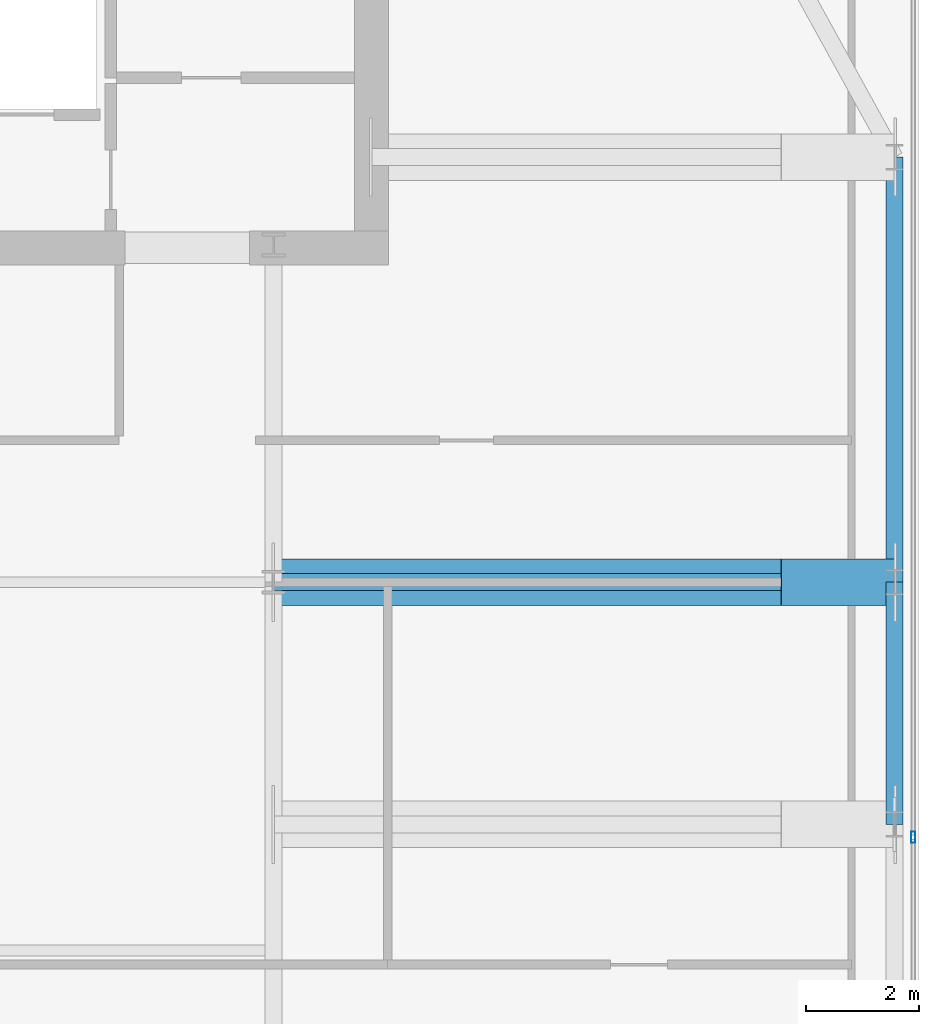
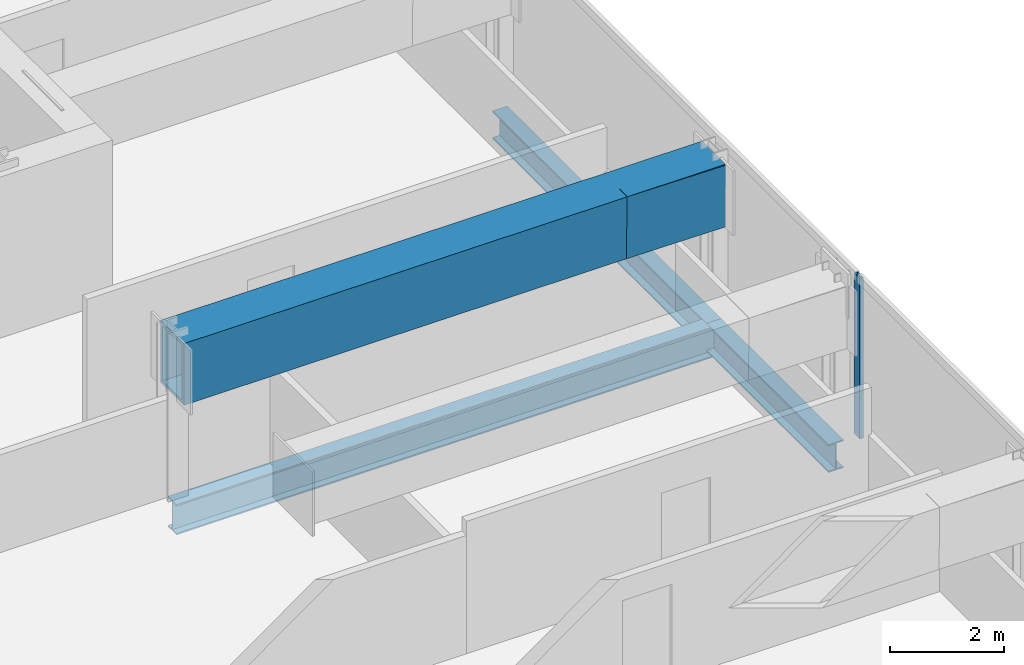
# One storey, part 15 of 26: 5 beams, 1 member, 1 element without a shape of its own.
"""IFC4 building model written with IfcOpenShell, lengths in metres."""

import ifcopenshell
import ifcopenshell.guid

model = None  # the IFC model being written
_history = None  # IfcOwnerHistory: only IFC2X3 demands one
_inside = {}  # id of a spatial element -> (the spatial element, [elements in it])
_under = {}  # id of a project, library or spatial element -> (it, [spatial elements below it])
_declared = {}  # id of a project -> (the project, [libraries it declares])
_typed = {}  # id of a type object -> (the type object, [elements of that type])
_made_of = {}  # id of a material, layer set ... -> (it, [elements and type objects made of it])


def new_model(schema):
    """Start an empty IFC model of exactly this schema.

    Asked for "IFC4X3", IfcOpenShell would pick the latest addendum, in which some entities
    have other attributes; the version numbers below select the first issue.
    IFC2X3 requires an IfcOwnerHistory on every rooted entity: one is made here for all.
    """
    global model, _history
    if schema == "IFC4X3":
        model = ifcopenshell.file(schema_version=(4, 3, 0, 0))
    else:
        model = ifcopenshell.file(schema=schema)
    _inside.clear()
    _under.clear()
    _declared.clear()
    _typed.clear()
    _made_of.clear()
    _history = None
    if model.schema == "IFC2X3":
        org = make("IfcOrganization", Name="unknown")
        user = make(
            "IfcPersonAndOrganization",
            ThePerson=make("IfcPerson", FamilyName="unknown"),
            TheOrganization=org,
        )
        app = make(
            "IfcApplication",
            ApplicationDeveloper=org,
            Version="unknown",
            ApplicationFullName="unknown",
            ApplicationIdentifier="unknown",
        )
        _history = make(
            "IfcOwnerHistory",
            OwningUser=user,
            OwningApplication=app,
            ChangeAction="ADDED",
            CreationDate=0,
        )
    return model


def make(cls, **values):
    """One entity of the class cls with the attributes given. An attribute that is None is left unset."""
    return model.create_entity(
        cls, **{name: value for name, value in values.items() if value is not None}
    )


def rooted(cls, **values):
    """An entity with a GlobalId (a new one), such as an element, a storey or a relation."""
    return make(cls, GlobalId=ifcopenshell.guid.new(), OwnerHistory=_history, **values)


def si_unit(unit_type, name, prefix=None):
    """IfcSIUnit, for example si_unit("LENGTHUNIT", "METRE", prefix="MILLI")."""
    return make("IfcSIUnit", UnitType=unit_type, Prefix=prefix, Name=name)


def assignment(units):
    """IfcUnitAssignment: the units of a project."""
    return None if units is None else make("IfcUnitAssignment", Units=units)


def point(xyz):
    """IfcCartesianPoint."""
    return None if xyz is None else make("IfcCartesianPoint", Coordinates=xyz)


def direction(xyz):
    """IfcDirection."""
    return None if xyz is None else make("IfcDirection", DirectionRatios=xyz)


def frame(location, z_axis=None, x_axis=None):
    """IfcAxis2Placement3D, a coordinate frame: its origin and axes. An axis left out is left unset."""
    return make(
        "IfcAxis2Placement3D",
        Location=point(location),
        Axis=direction(z_axis),
        RefDirection=direction(x_axis),
    )


def frame_2d(location, x_axis=None):
    """IfcAxis2Placement2D, a coordinate frame in the plane: its origin and x axis."""
    return make(
        "IfcAxis2Placement2D", Location=point(location), RefDirection=direction(x_axis)
    )


def origin():
    """The frame at (0, 0, 0) with its axes left unset."""
    return frame((0.0, 0.0, 0.0))


def origin_2d():
    """The frame at (0, 0) in the plane with its x axis left unset."""
    return frame_2d((0.0, 0.0))


def place(relative_to, where):
    """IfcLocalPlacement: puts the frame where relative to a parent placement (None: the world)."""
    return make(
        "IfcLocalPlacement", PlacementRelTo=relative_to, RelativePlacement=where
    )


def context(
    kind, dimensions, precision=None, world=None, true_north=None, identifier=None
):
    """IfcGeometricRepresentationContext, for example the 3D "Model" context."""
    return make(
        "IfcGeometricRepresentationContext",
        ContextIdentifier=identifier,
        ContextType=kind,
        CoordinateSpaceDimension=dimensions,
        Precision=precision,
        WorldCoordinateSystem=world,
        TrueNorth=true_north,
    )


def subcontext(parent, identifier, kind, view, scale=None):
    """IfcGeometricRepresentationSubContext, for example "Body" below "Model"."""
    return make(
        "IfcGeometricRepresentationSubContext",
        ContextIdentifier=identifier,
        ContextType=kind,
        ParentContext=parent,
        TargetScale=scale,
        TargetView=view,
    )


def project(units=None, contexts=None):
    """IfcProject with its units and contexts."""
    return rooted(
        "IfcProject",
        Name="project",
        RepresentationContexts=contexts,
        UnitsInContext=assignment(units),
    )


def spatial(cls, under=None, at=None, **own):
    """A site, building, storey or space (cls), placed at a placement, below another one or the project."""
    s = rooted(cls, ObjectPlacement=at, **own)
    if under is not None:
        _under.setdefault(under.id(), (under, []))[1].append(s)
    return s


def profile(cls, at=None, kind="AREA", **sizes):
    """A parametric profile (cls). Its sizes go by their IFC names, for example OverallWidth=200.0."""
    return make(cls, ProfileType=kind, Position=at, **sizes)


def hollow_rectangle(**sizes):
    """IfcRectangleHollowProfileDef."""
    return profile("IfcRectangleHollowProfileDef", **sizes)


def i_section(**sizes):
    """IfcIShapeProfileDef."""
    return profile("IfcIShapeProfileDef", **sizes)


def extrude(swept, where, along, depth):
    """IfcExtrudedAreaSolid: the profile swept, set in the frame where, extruded along a direction by depth."""
    return make(
        "IfcExtrudedAreaSolid",
        SweptArea=swept,
        Position=where,
        ExtrudedDirection=direction(along),
        Depth=depth,
    )


def shape(context_of_items, identifier, shape_type, items):
    """IfcShapeRepresentation: the items that make up one representation, for example the "Body"."""
    return make(
        "IfcShapeRepresentation",
        ContextOfItems=context_of_items,
        RepresentationIdentifier=identifier,
        RepresentationType=shape_type,
        Items=items,
    )


def material(Name=None, Category=None):
    """IfcMaterial."""
    return make("IfcMaterial", Name=Name, Category=Category)


def material_profile(
    of_material, cross_section, Name=None, Category=None, Priority=None
):
    """IfcMaterialProfile: a cross section and its material."""
    return make(
        "IfcMaterialProfile",
        Name=Name,
        Material=of_material,
        Profile=cross_section,
        Priority=Priority,
        Category=Category,
    )


def profile_set(profiles, Name=None, composite=None):
    """IfcMaterialProfileSet."""
    return make(
        "IfcMaterialProfileSet",
        Name=Name,
        MaterialProfiles=profiles,
        CompositeProfile=composite,
    )


def made_of(thing, what):
    """Note that an element or type object is made of a material, layer set ...; save() writes the relation."""
    if what is not None:
        _made_of.setdefault(what.id(), (what, []))[1].append(thing)
    return thing


def type_object(cls, material=None, **own):
    """A type object (cls), such as IfcWallType, which elements share."""
    return made_of(rooted(cls, **own), material)


def element(
    cls,
    number,
    at=None,
    inside=None,
    cuts=None,
    type_object=None,
    material=None,
    context=None,
    identifier="Body",
    shape_type=None,
    held_by="IfcProductDefinitionShape",
    body=None,
    shapes=None,
    **own,
):
    """One element of the class cls, such as IfcWall. Its Tag is "e" and its number.

    at: its placement. inside: the storey or other place that contains it. cuts: it is an
    opening in that element (IfcRelVoidsElement). A single representation is given by context,
    identifier, shape_type and body (its items); several are given by shapes. held_by: the class
    of the entity that holds the representations. save() writes the other relations.
    """
    e = rooted(cls, Tag="e%d" % number, ObjectPlacement=at, **own)
    if body is not None:
        shapes = [shape(context, identifier, shape_type, body)]
    if shapes is not None:
        e.Representation = make(held_by, Representations=shapes)
    if inside is not None:
        _inside.setdefault(inside.id(), (inside, []))[1].append(e)
    if cuts is not None:
        rooted(
            "IfcRelVoidsElement", RelatingBuildingElement=cuts, RelatedOpeningElement=e
        )
    if type_object is not None:
        _typed.setdefault(type_object.id(), (type_object, []))[1].append(e)
    return made_of(e, material)


def aggregate(whole, parts):
    """IfcRelAggregates: a whole, such as a stair, and the parts it consists of."""
    return rooted("IfcRelAggregates", RelatingObject=whole, RelatedObjects=parts)


def save(model, path):
    """Write the relations noted so far, then the file.

    IfcRelAggregates (storeys below a building ...), IfcRelContainedInSpatialStructure (elements
    in a storey), IfcRelDefinesByType, IfcRelAssociatesMaterial and IfcRelDeclares: one each for
    every whole, place, type object, material and project.
    """
    for whole, parts in _under.values():
        aggregate(whole, parts)
    for where, things in _inside.values():
        rooted(
            "IfcRelContainedInSpatialStructure",
            RelatedElements=things,
            RelatingStructure=where,
        )
    for kind, things in _typed.values():
        rooted("IfcRelDefinesByType", RelatedObjects=things, RelatingType=kind)
    for what, things in _made_of.values():
        rooted("IfcRelAssociatesMaterial", RelatedObjects=things, RelatingMaterial=what)
    for by, libraries in _declared.values():
        rooted("IfcRelDeclares", RelatingContext=by, RelatedDefinitions=libraries)
    model.write(path)


model = new_model("IFC4")

# Units and contexts
model_context = context("Model", 3, precision=1e-05, world=origin(), true_north=direction((0.0, 1.0)))
body_context = subcontext(model_context, "Body", "Model", "MODEL_VIEW")
ifc_project = project(units=[si_unit("LENGTHUNIT", "METRE"), si_unit("AREAUNIT", "SQUARE_METRE"), si_unit("VOLUMEUNIT", "CUBIC_METRE"), si_unit("PLANEANGLEUNIT", "RADIAN"), si_unit("MASSUNIT", "GRAM", prefix="KILO")], contexts=[model_context])

# Site, building, storey
site_placement = place(None, origin())
site = spatial("IfcSite", under=ifc_project, at=site_placement, CompositionType="ELEMENT")
building_placement = place(site_placement, origin())
building = spatial("IfcBuilding", under=site, at=building_placement, Name="Khoronbel Lancet Exchange", CompositionType="ELEMENT")
storey_placement = place(building_placement, frame((0.0, 0.0, 235.39990234375)))
storey = spatial("IfcBuildingStorey", under=building, at=storey_placement, Name="L60", CompositionType="ELEMENT", Elevation=235.39990234375)

# Beams
ifc_material_1 = material(Name="Steel S355", Category="steel")
ifc_material_profile_1 = material_profile(ifc_material_1, i_section(OverallWidth=0.300048828125, OverallDepth=0.64990234375, WebThickness=0.01611328125, FlangeThickness=0.031005859375, at=origin_2d()), Name="HEB 650")
ifc_profile_set_1 = profile_set([ifc_material_profile_1], Name="Steel S355")
beam_type_1 = type_object("IfcBeamType", Name="BM-BG4", PredefinedType="BEAM", material=ifc_profile_set_1)
beam_1_placement = place(storey_placement, frame((54.675048828125, 35.699951171875, -0.48486328125), z_axis=(1.0, 0.0, 0.0), x_axis=(0.0, 1.0, 0.0)))
element("IfcBeam", 1, at=beam_1_placement, inside=storey, type_object=beam_type_1, Name="Level L60 east lens tie girder LG4E", PredefinedType="BEAM", context=body_context, shape_type="SweptSolid", body=[
    extrude(i_section(OverallWidth=0.300048828125, OverallDepth=0.64990234375, WebThickness=0.01611328125, FlangeThickness=0.031005859375, at=origin_2d()), origin(), (0.0, 0.0, 1.0), 10.954833984375),
])
ifc_material_profile_2 = material_profile(ifc_material_1, i_section(OverallWidth=0.300048828125, OverallDepth=0.60009765625, WebThickness=0.015380859375, FlangeThickness=0.030029296875, at=origin_2d()), Name="HEB 600")
ifc_profile_set_2 = profile_set([ifc_material_profile_2], Name="Steel S355")
beam_type_2 = type_object("IfcBeamType", Name="BM-BSP2", PredefinedType="SPANDREL", material=ifc_profile_set_2)
beam_2_placement = place(storey_placement, frame((65.6298828125, 31.425048828125, -0.4599609375), z_axis=(0.0, 1.0, 0.0), x_axis=(-1.0, 0.0, 0.0)))
element("IfcBeam", 2, at=beam_2_placement, inside=storey, type_object=beam_type_2, Name="Level L60 perimeter spandrel beam SP13", PredefinedType="SPANDREL", context=body_context, shape_type="SweptSolid", body=[
    extrude(i_section(OverallWidth=0.300048828125, OverallDepth=0.60009765625, WebThickness=0.015380859375, FlangeThickness=0.030029296875, at=origin_2d()), origin(), (0.0, 0.0, 1.0), 4.27490234375),
])
beam_3_placement = place(storey_placement, frame((65.6298828125, 35.699951171875, -0.4599609375), z_axis=(0.0, 1.0, 0.0), x_axis=(-1.0, 0.0, 0.0)))
element("IfcBeam", 3, at=beam_3_placement, inside=storey, type_object=beam_type_2, Name="Level L60 perimeter spandrel beam SP14", PredefinedType="SPANDREL", context=body_context, shape_type="SweptSolid", body=[
    extrude(i_section(OverallWidth=0.300048828125, OverallDepth=0.60009765625, WebThickness=0.015380859375, FlangeThickness=0.030029296875, at=origin_2d()), origin(), (0.0, 0.0, 1.0), 7.5),
])
ifc_material_2 = material(Name="Steel S460", Category="steel")
ifc_material_profile_3 = material_profile(ifc_material_2, hollow_rectangle(XDim=0.820068359375, YDim=1.320068359375, WallThickness=0.070068359375, at=origin_2d()), Name="BOX 820x1320x70")
ifc_profile_set_3 = profile_set([ifc_material_profile_3], Name="Steel S460")
beam_type_3 = type_object("IfcBeamType", Name="BM-TG4", PredefinedType="USERDEFINED", material=ifc_profile_set_3)
beam_4_placement = place(storey_placement, frame((65.6298828125, 35.699951171875, 2.760009765625), z_axis=(-0.99994990606, 0.0, 0.010009264196), x_axis=(0.0, -1.0, 0.0)))
element("IfcBeam", 4, at=beam_4_placement, inside=storey, type_object=beam_type_3, Name="Setback transfer knee-brace girder L60-EC-3", ObjectType="TRANSFER GIRDER", PredefinedType="USERDEFINED", context=body_context, shape_type="SweptSolid", body=[
    extrude(hollow_rectangle(XDim=0.820068359375, YDim=1.320068359375, WallThickness=0.070068359375, at=origin_2d()), origin(), (0.0, 0.0, 1.0), 2.0),
])
beam_5_placement = place(storey_placement, frame((54.675048828125, 35.699951171875, 2.780029296875), z_axis=(1.0, 0.0, 0.0), x_axis=(0.0, 1.0, 0.0)))
element("IfcBeam", 5, at=beam_5_placement, inside=storey, type_object=beam_type_3, Name="Lens setback S460 transfer girder L60-E4", ObjectType="TRANSFER GIRDER", PredefinedType="USERDEFINED", context=body_context, shape_type="SweptSolid", body=[
    extrude(hollow_rectangle(XDim=0.820068359375, YDim=1.320068359375, WallThickness=0.070068359375, at=origin_2d()), origin(), (0.0, 0.0, 1.0), 10.954833984375),
])

# Curtain wall, member
ifc_material_3 = material(Name="Low-E Solar Control Insulating Glass", Category="glass")
curtain_wall_type = type_object("IfcCurtainWallType", Name="CW-4", PredefinedType="NOTDEFINED", material=ifc_material_3)
curtain_wall_placement = place(storey_placement, origin())
curtain_wall = element("IfcCurtainWall", 6, at=curtain_wall_placement, inside=storey, type_object=curtain_wall_type, Name="Unitised curtain wall CW-L60-E09", PredefinedType="NOTDEFINED")
ifc_material_4 = material(Name="Bronze-Anodised Aluminium 6063-T6", Category="aluminium")
ifc_material_profile_4 = material_profile(ifc_material_4, hollow_rectangle(XDim=0.074951171875, YDim=0.199951171875, WallThickness=0.0048828125, at=origin_2d()), Name="ALU MULLION 75x200")
ifc_profile_set_4 = profile_set([ifc_material_profile_4], Name="Bronze-Anodised Aluminium 6063-T6")
member_type = type_object("IfcMemberType", Name="MEM-CWM2", PredefinedType="MULLION", material=ifc_profile_set_4)
member_placement = place(storey_placement, frame((65.9599609375, 31.199951171875, 0.0), z_axis=(0.0, 0.0, 1.0), x_axis=(1.0, 0.0, 0.0)))
member = element("IfcMember", 7, at=member_placement, type_object=member_type, Name="CW4 mullion 2", PredefinedType="MULLION", context=body_context, shape_type="SweptSolid", body=[
    extrude(hollow_rectangle(XDim=0.074951171875, YDim=0.199951171875, WallThickness=0.0048828125, at=origin_2d()), origin(), (0.0, 0.0, 1.0), 3.440185546875),
])
aggregate(curtain_wall, [member])

save(model, "model.ifc")
